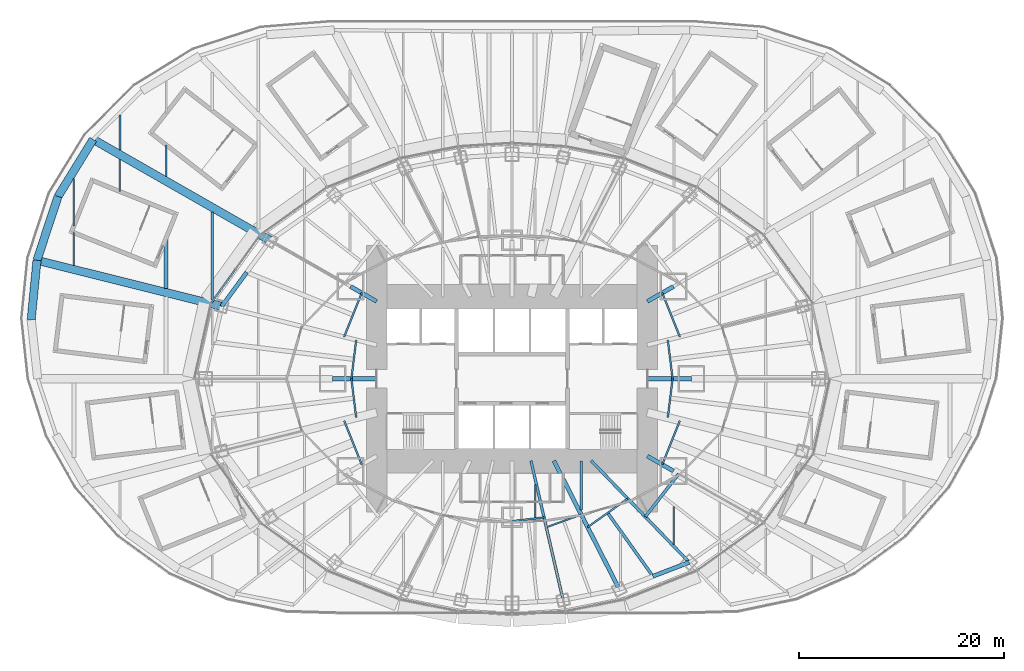
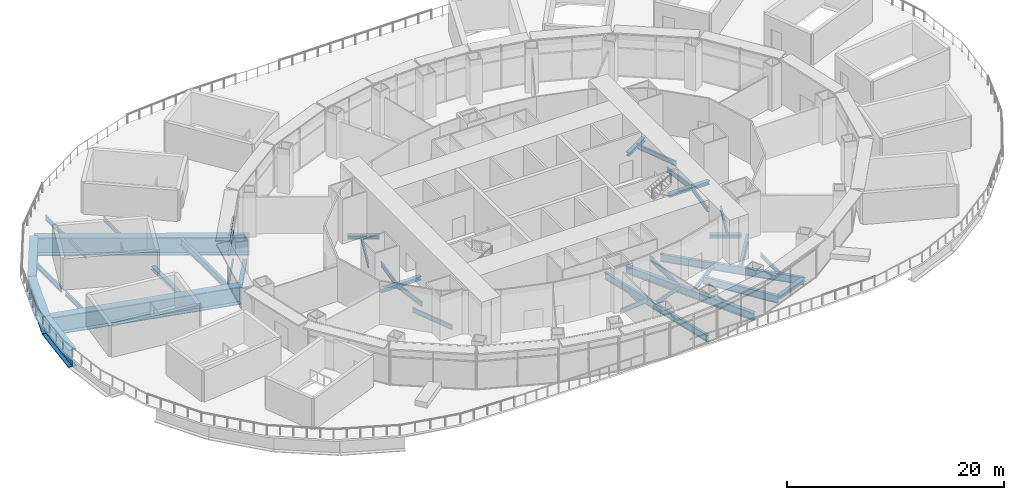
# One storey, part 5 of 25: 38 beams, 3 members, 1 element without a shape of its own.
"""IFC4 building model written with IfcOpenShell, lengths in metres."""

from ifc_helpers import new_model, si_unit, direction, frame, origin, origin_2d, place, context, subcontext, project, spatial, rectangle, i_section, extrude, material, material_profile, profile_set, type_object, element, aggregate, save


model = new_model("IFC4")

# Units and contexts
model_context = context("Model", 3, precision=1e-05, world=origin(), true_north=direction((0.0, 1.0)))
body_context = subcontext(model_context, "Body", "Model", "MODEL_VIEW")
ifc_project = project(units=[si_unit("LENGTHUNIT", "METRE"), si_unit("AREAUNIT", "SQUARE_METRE"), si_unit("VOLUMEUNIT", "CUBIC_METRE"), si_unit("PLANEANGLEUNIT", "RADIAN"), si_unit("MASSUNIT", "GRAM", prefix="KILO")], contexts=[model_context])

# Site, building, storey
site_placement = place(None, origin())
site = spatial("IfcSite", under=ifc_project, at=site_placement, CompositionType="ELEMENT")
building_placement = place(site_placement, origin())
building = spatial("IfcBuilding", under=site, at=building_placement, Name="Lantaw Convention Tower", CompositionType="ELEMENT")
storey_placement = place(building_placement, frame((0.0, 0.0, 32.0)))
storey = spatial("IfcBuildingStorey", under=building, at=storey_placement, Name="L05", CompositionType="ELEMENT", Elevation=32.0)

# Beams
ifc_material_1 = material(Name="Steel ASTM A572 Grade 50", Category="steel")
ifc_material_profile_1 = material_profile(ifc_material_1, i_section(OverallWidth=0.800048828125, OverallDepth=2.0, WebThickness=0.030029296875, FlangeThickness=0.080078125, at=origin_2d()), Name="PG2000X800X30X80")
ifc_profile_set_1 = profile_set([ifc_material_profile_1], Name="Steel ASTM A572 Grade 50")
beam_type_1 = type_object("IfcBeamType", Name="Beam E PG2000X800X30X80", PredefinedType="SPANDREL", material=ifc_profile_set_1)
beam_1_placement = place(storey_placement, frame((-40.864013671875, 23.350830078125, -1.199951171875), z_axis=(-0.524178644867, -0.851608330317, 0.0), x_axis=(0.851608330317, -0.524178644867, 0.0)))
element("IfcBeam", 1, at=beam_1_placement, inside=storey, type_object=beam_type_1, Name="Podium edge beam R10", PredefinedType="SPANDREL", context=body_context, shape_type="SweptSolid", body=[
    extrude(i_section(OverallWidth=0.800048828125, OverallDepth=2.0, WebThickness=0.030029296875, FlangeThickness=0.080078125, at=origin_2d()), origin(), (0.0, 0.0, 1.0), 6.54052734375),
])
beam_2_placement = place(storey_placement, frame((-44.29248046875, 17.78076171875, -1.199951171875), z_axis=(-0.312739573604, -0.949838912186, 0.0), x_axis=(0.949838912186, -0.312739573604, 0.0)))
element("IfcBeam", 2, at=beam_2_placement, inside=storey, type_object=beam_type_1, Name="Podium edge beam B10", PredefinedType="SPANDREL", context=body_context, shape_type="SweptSolid", body=[
    extrude(i_section(OverallWidth=0.800048828125, OverallDepth=2.0, WebThickness=0.030029296875, FlangeThickness=0.080078125, at=origin_2d()), origin(), (0.0, 0.0, 1.0), 6.55517578125),
])
beam_3_placement = place(storey_placement, frame((-46.342529296875, 11.554443359375, -1.199951171875), z_axis=(-0.097112121047, -0.995273447825, 0.0), x_axis=(0.995273447825, -0.097112121047, 0.0)))
element("IfcBeam", 3, at=beam_3_placement, inside=storey, type_object=beam_type_1, Name="Podium edge beam R11", PredefinedType="SPANDREL", context=body_context, shape_type="SweptSolid", body=[
    extrude(i_section(OverallWidth=0.800048828125, OverallDepth=2.0, WebThickness=0.030029296875, FlangeThickness=0.080078125, at=origin_2d()), origin(), (0.0, 0.0, 1.0), 5.822509765625),
])
ifc_material_2 = material(Name="Steel ASTM A992", Category="steel")
ifc_material_profile_2 = material_profile(ifc_material_2, i_section(OverallWidth=0.40380859375, OverallDepth=0.406494140625, WebThickness=0.027099609375, FlangeThickness=0.043701171875, FilletRadius=0.01513671875, at=origin_2d()), Name="W14X233")
ifc_profile_set_2 = profile_set([ifc_material_profile_2], Name="Steel ASTM A992")
beam_type_2 = type_object("IfcBeamType", Name="Beam E W14X233", PredefinedType="SPANDREL", material=ifc_profile_set_2)
beam_4_placement = place(storey_placement, frame((-25.8779296875, 10.388427734375, -0.4033203125), z_axis=(-0.591255937291, -0.806483984105, 0.0), x_axis=(0.806483984105, -0.591255937291, 0.0)))
element("IfcBeam", 4, at=beam_4_placement, inside=storey, type_object=beam_type_2, Name="Edge beam 11", PredefinedType="SPANDREL", context=body_context, shape_type="SweptSolid", body=[
    extrude(i_section(OverallWidth=0.40380859375, OverallDepth=0.406494140625, WebThickness=0.027099609375, FlangeThickness=0.043701171875, FilletRadius=0.01513671875, at=origin_2d()), origin(), (0.0, 0.0, 1.0), 4.126708984375),
])
beam_5_placement = place(storey_placement, frame((13.745361328125, -19.270263671875, -0.4033203125), z_axis=(0.933224646415, 0.359293416754, 0.0), x_axis=(-0.359293416754, 0.933224646415, 0.0)))
element("IfcBeam", 5, at=beam_5_placement, inside=storey, type_object=beam_type_2, Name="Edge beam 21", PredefinedType="SPANDREL", context=body_context, shape_type="SweptSolid", body=[
    extrude(i_section(OverallWidth=0.40380859375, OverallDepth=0.406494140625, WebThickness=0.027099609375, FlangeThickness=0.043701171875, FilletRadius=0.01513671875, at=origin_2d()), origin(), (0.0, 0.0, 1.0), 3.799072265625),
])
ifc_material_profile_3 = material_profile(ifc_material_2, i_section(OverallWidth=0.2666015625, OverallDepth=0.76953125, WebThickness=0.015625, FlangeThickness=0.025390625, FilletRadius=0.0126953125, at=origin_2d()), Name="W30X132")
ifc_profile_set_3 = profile_set([ifc_material_profile_3], Name="Steel ASTM A992")
beam_type_3 = type_object("IfcBeamType", Name="Beam G W30X132", PredefinedType="BEAM", material=ifc_profile_set_3)
beam_6_placement = place(storey_placement, frame((1.846923828125, -8.0, -0.584716796875), z_axis=(0.224952773175, -0.97436966796, 0.0), x_axis=(0.97436966796, 0.224952773175, 0.0)))
element("IfcBeam", 6, at=beam_6_placement, inside=storey, type_object=beam_type_3, Name="Floor girder on ray 20", PredefinedType="BEAM", context=body_context, shape_type="SweptSolid", body=[
    extrude(i_section(OverallWidth=0.2666015625, OverallDepth=0.76953125, WebThickness=0.015625, FlangeThickness=0.025390625, FilletRadius=0.0126953125, at=origin_2d()), origin(), (0.0, 0.0, 1.0), 13.955810546875),
])
ifc_material_profile_4 = material_profile(ifc_material_2, i_section(OverallWidth=0.2919921875, OverallDepth=0.845703125, WebThickness=0.015380859375, FlangeThickness=0.0244140625, FilletRadius=0.01513671875, at=origin_2d()), Name="W33X141")
ifc_profile_set_4 = profile_set([ifc_material_profile_4], Name="Steel ASTM A992")
beam_type_4 = type_object("IfcBeamType", Name="Beam G W33X141", PredefinedType="BEAM", material=ifc_profile_set_4)
beam_7_placement = place(storey_placement, frame((9.335693359375, -13.088134765625, -0.622802734375), z_axis=(0.580702805158, -0.814115625745, 0.0), x_axis=(0.814115625745, 0.580702805158, 0.0)))
element("IfcBeam", 7, at=beam_7_placement, inside=storey, type_object=beam_type_4, Name="Floor girder on bisector 21", PredefinedType="BEAM", context=body_context, shape_type="SweptSolid", body=[
    extrude(i_section(OverallWidth=0.2919921875, OverallDepth=0.845703125, WebThickness=0.015380859375, FlangeThickness=0.0244140625, FilletRadius=0.01513671875, at=origin_2d()), origin(), (0.0, 0.0, 1.0), 7.59375),
])
beam_8_placement = place(storey_placement, frame((7.7255859375, -8.0, -0.622802734375), z_axis=(0.694649884291, -0.719347995239, 0.0), x_axis=(0.719347995239, 0.694649884291, 0.0)))
element("IfcBeam", 8, at=beam_8_placement, inside=storey, type_object=beam_type_4, Name="Floor girder on ray 22", PredefinedType="BEAM", context=body_context, shape_type="SweptSolid", body=[
    extrude(i_section(OverallWidth=0.2919921875, OverallDepth=0.845703125, WebThickness=0.015380859375, FlangeThickness=0.0244140625, FilletRadius=0.01513671875, at=origin_2d()), origin(), (0.0, 0.0, 1.0), 13.769775390625),
])
ifc_material_profile_5 = material_profile(ifc_material_2, i_section(OverallWidth=0.398681640625, OverallDepth=0.85595703125, WebThickness=0.01806640625, FlangeThickness=0.029296875, FilletRadius=0.016357421875, at=origin_2d()), Name="W33X201")
ifc_profile_set_5 = profile_set([ifc_material_profile_5], Name="Steel ASTM A992")
beam_type_5 = type_object("IfcBeamType", Name="Beam G W33X201", PredefinedType="BEAM", material=ifc_profile_set_5)
beam_9_placement = place(storey_placement, frame((4.076171875, -8.0, -0.6279296875), z_axis=(0.453997016122, -0.891003203896, 0.0), x_axis=(0.891003203896, 0.453997016122, 0.0)))
element("IfcBeam", 9, at=beam_9_placement, inside=storey, type_object=beam_type_5, Name="Floor girder on ray 21", PredefinedType="BEAM", context=body_context, shape_type="SweptSolid", body=[
    extrude(i_section(OverallWidth=0.398681640625, OverallDepth=0.85595703125, WebThickness=0.01806640625, FlangeThickness=0.029296875, FilletRadius=0.016357421875, at=origin_2d()), origin(), (0.0, 0.0, 1.0), 14.067138671875),
])
ifc_material_profile_6 = material_profile(ifc_material_2, i_section(OverallWidth=0.40380859375, OverallDepth=0.406494140625, WebThickness=0.027099609375, FlangeThickness=0.043701171875, FilletRadius=0.01513671875, at=origin_2d()), Name="W14X233")
ifc_profile_set_6 = profile_set([ifc_material_profile_6], Name="Steel ASTM A992")
beam_type_6 = type_object("IfcBeamType", Name="Beam GM W14X233", PredefinedType="BEAM", material=ifc_profile_set_6)
beam_10_placement = place(storey_placement, frame((13.199951171875, 0.0, -0.4033203125), z_axis=(1.0, 0.0, 0.0), x_axis=(0.0, 1.0, 0.0)))
element("IfcBeam", 10, at=beam_10_placement, inside=storey, type_object=beam_type_6, Name="Core link beam on ray 1", PredefinedType="BEAM", context=body_context, shape_type="SweptSolid", body=[
    extrude(i_section(OverallWidth=0.40380859375, OverallDepth=0.406494140625, WebThickness=0.027099609375, FlangeThickness=0.043701171875, FilletRadius=0.01513671875, at=origin_2d()), origin(), (0.0, 0.0, 1.0), 4.300048828125),
])
for number, where, z_axis, x_axis, name in (
    (11, (13.199951171875, 7.54296875, -0.4033203125), (0.868263603466, 0.496103129295, 0.0), (-0.496103129295, 0.868263603466, 0.0), "Core link beam on ray 3"),
    (12, (-13.199951171875, 7.54296875, -0.4033203125), (-0.868263603466, 0.496103129295, 0.0), (-0.496103129295, -0.868263603466, 0.0), "Core link beam on ray 11"),
):
    element("IfcBeam", number, at=place(storey_placement, frame(where, z_axis=z_axis, x_axis=x_axis)), inside=storey, type_object=beam_type_6, Name=name, PredefinedType="BEAM", context=body_context, shape_type="SweptSolid", body=[
        extrude(i_section(OverallWidth=0.40380859375, OverallDepth=0.406494140625, WebThickness=0.027099609375, FlangeThickness=0.043701171875, FilletRadius=0.01513671875, at=origin_2d()), origin(), (0.0, 0.0, 1.0), 2.93701171875),
    ])
beam_11_placement = place(storey_placement, frame((-13.199951171875, 0.0, -0.4033203125), z_axis=(-1.0, 0.0, 0.0), x_axis=(0.0, -1.0, 0.0)))
element("IfcBeam", 13, at=beam_11_placement, inside=storey, type_object=beam_type_6, Name="Core link beam on ray 13", PredefinedType="BEAM", context=body_context, shape_type="SweptSolid", body=[
    extrude(i_section(OverallWidth=0.40380859375, OverallDepth=0.406494140625, WebThickness=0.027099609375, FlangeThickness=0.043701171875, FilletRadius=0.01513671875, at=origin_2d()), origin(), (0.0, 0.0, 1.0), 4.300048828125),
])
beam_12_placement = place(storey_placement, frame((13.199951171875, -7.54296875, -0.4033203125), z_axis=(0.868263603466, -0.496103129295, 0.0), x_axis=(0.496103129295, 0.868263603466, 0.0)))
element("IfcBeam", 14, at=beam_12_placement, inside=storey, type_object=beam_type_6, Name="Core link beam on ray 23", PredefinedType="BEAM", context=body_context, shape_type="SweptSolid", body=[
    extrude(i_section(OverallWidth=0.40380859375, OverallDepth=0.406494140625, WebThickness=0.027099609375, FlangeThickness=0.043701171875, FilletRadius=0.01513671875, at=origin_2d()), origin(), (0.0, 0.0, 1.0), 2.93701171875),
])
ifc_material_profile_7 = material_profile(ifc_material_2, i_section(OverallWidth=0.15234375, OverallDepth=0.449462890625, WebThickness=0.007568359375, FlangeThickness=0.0107421875, FilletRadius=0.01025390625, at=origin_2d()), Name="W18X35")
ifc_profile_set_7 = profile_set([ifc_material_profile_7], Name="Steel ASTM A992")
beam_type_7 = type_object("IfcBeamType", Name="Beam HC W18X35", PredefinedType="BEAM", material=ifc_profile_set_7)
beam_13_placement = place(storey_placement, frame((3.345947265625, -14.4931640625, -0.4248046875), z_axis=(0.939689171859, 0.342029619025, 0.0), x_axis=(-0.342029619025, 0.939689171859, 0.0)))
element("IfcBeam", 15, at=beam_13_placement, inside=storey, type_object=beam_type_7, Name="Collar beam on bisector 20", PredefinedType="BEAM", context=body_context, shape_type="SweptSolid", body=[
    extrude(i_section(OverallWidth=0.15234375, OverallDepth=0.449462890625, WebThickness=0.007568359375, FlangeThickness=0.0107421875, FilletRadius=0.01025390625, at=origin_2d()), origin(), (0.0, 0.0, 1.0), 3.62548828125),
])
ifc_material_profile_8 = material_profile(ifc_material_2, i_section(OverallWidth=0.1650390625, OverallDepth=0.52587890625, WebThickness=0.0087890625, FlangeThickness=0.011474609375, FilletRadius=0.0126953125, at=origin_2d()), Name="W21X44")
ifc_profile_set_8 = profile_set([ifc_material_profile_8], Name="Steel ASTM A992")
beam_type_8 = type_object("IfcBeamType", Name="Beam HC W21X44", PredefinedType="BEAM", material=ifc_profile_set_8)
beam_14_placement = place(storey_placement, frame((15.666015625, 0.0, -0.462890625), z_axis=(-0.121925556924, 0.992539247873, 0.0), x_axis=(-0.992539247873, -0.121925556924, 0.0)))
element("IfcBeam", 16, at=beam_14_placement, inside=storey, type_object=beam_type_8, Name="Collar beam on bisector 1", PredefinedType="BEAM", context=body_context, shape_type="SweptSolid", body=[
    extrude(i_section(OverallWidth=0.1650390625, OverallDepth=0.52587890625, WebThickness=0.0087890625, FlangeThickness=0.011474609375, FilletRadius=0.0126953125, at=origin_2d()), origin(), (0.0, 0.0, 1.0), 3.818603515625),
])
for number, where, z_axis, x_axis, name in (
    (17, (16.381591796875, 4.08447265625, -0.462890625), (-0.372591792929, 0.927995342576, 0.0), (-0.927995342576, -0.372591792929, 0.0), "Collar beam on bisector 2"),
    (18, (-14.658447265625, 8.376220703125, -0.462890625), (-0.372591792929, -0.927995342576, 0.0), (0.927995342576, -0.372591792929, 0.0), "Collar beam on bisector 11"),
):
    element("IfcBeam", number, at=place(storey_placement, frame(where, z_axis=z_axis, x_axis=x_axis)), inside=storey, type_object=beam_type_8, Name=name, PredefinedType="BEAM", context=body_context, shape_type="SweptSolid", body=[
        extrude(i_section(OverallWidth=0.1650390625, OverallDepth=0.52587890625, WebThickness=0.0087890625, FlangeThickness=0.011474609375, FilletRadius=0.0126953125, at=origin_2d()), origin(), (0.0, 0.0, 1.0), 4.624755859375),
    ])
for number, where, z_axis, x_axis, name in (
    (19, (-15.200439453125, 3.7900390625, -0.462890625), (-0.121925556924, -0.992539247873, 0.0), (0.992539247873, -0.121925556924, 0.0), "Collar beam on bisector 12"),
    (20, (-15.666015625, 0.0, -0.462890625), (0.121925556924, -0.992539247873, 0.0), (0.992539247873, 0.121925556924, 0.0), "Collar beam on bisector 13"),
):
    element("IfcBeam", number, at=place(storey_placement, frame(where, z_axis=z_axis, x_axis=x_axis)), inside=storey, type_object=beam_type_8, Name=name, PredefinedType="BEAM", context=body_context, shape_type="SweptSolid", body=[
        extrude(i_section(OverallWidth=0.1650390625, OverallDepth=0.52587890625, WebThickness=0.0087890625, FlangeThickness=0.011474609375, FilletRadius=0.0126953125, at=origin_2d()), origin(), (0.0, 0.0, 1.0), 3.818603515625),
    ])
beam_15_placement = place(storey_placement, frame((-16.381591796875, -4.08447265625, -0.462890625), z_axis=(0.372591792929, -0.927995342576, 0.0), x_axis=(0.927995342576, 0.372591792929, 0.0)))
element("IfcBeam", 21, at=beam_15_placement, inside=storey, type_object=beam_type_8, Name="Collar beam on bisector 14", PredefinedType="BEAM", context=body_context, shape_type="SweptSolid", body=[
    extrude(i_section(OverallWidth=0.1650390625, OverallDepth=0.52587890625, WebThickness=0.0087890625, FlangeThickness=0.011474609375, FilletRadius=0.0126953125, at=origin_2d()), origin(), (0.0, 0.0, 1.0), 4.624755859375),
])
beam_16_placement = place(storey_placement, frame((7.379638671875, -14.4833984375, -0.462890625), z_axis=(0.814110909588, 0.580709416912, 0.0), x_axis=(-0.580709416912, 0.814110909588, 0.0)))
element("IfcBeam", 22, at=beam_16_placement, inside=storey, type_object=beam_type_8, Name="Collar beam on bisector 21", PredefinedType="BEAM", context=body_context, shape_type="SweptSolid", body=[
    extrude(i_section(OverallWidth=0.1650390625, OverallDepth=0.52587890625, WebThickness=0.0087890625, FlangeThickness=0.011474609375, FilletRadius=0.0126953125, at=origin_2d()), origin(), (0.0, 0.0, 1.0), 4.805419921875),
])
beam_17_placement = place(storey_placement, frame((14.658447265625, -8.376220703125, -0.462890625), z_axis=(0.372591792929, 0.927995342576, 0.0), x_axis=(-0.927995342576, 0.372591792929, 0.0)))
element("IfcBeam", 23, at=beam_17_placement, inside=storey, type_object=beam_type_8, Name="Collar beam on bisector 23", PredefinedType="BEAM", context=body_context, shape_type="SweptSolid", body=[
    extrude(i_section(OverallWidth=0.1650390625, OverallDepth=0.52587890625, WebThickness=0.0087890625, FlangeThickness=0.011474609375, FilletRadius=0.0126953125, at=origin_2d()), origin(), (0.0, 0.0, 1.0), 4.624755859375),
])
beam_18_placement = place(storey_placement, frame((15.200439453125, -3.7900390625, -0.462890625), z_axis=(0.121925556924, 0.992539247873, 0.0), x_axis=(-0.992539247873, 0.121925556924, 0.0)))
element("IfcBeam", 24, at=beam_18_placement, inside=storey, type_object=beam_type_8, Name="Collar beam on bisector 24", PredefinedType="BEAM", context=body_context, shape_type="SweptSolid", body=[
    extrude(i_section(OverallWidth=0.1650390625, OverallDepth=0.52587890625, WebThickness=0.0087890625, FlangeThickness=0.011474609375, FilletRadius=0.0126953125, at=origin_2d()), origin(), (0.0, 0.0, 1.0), 3.818603515625),
])
ifc_material_profile_9 = material_profile(ifc_material_2, i_section(OverallWidth=0.165771484375, OverallDepth=0.5283203125, WebThickness=0.009765625, FlangeThickness=0.013671875, FilletRadius=0.012939453125, at=origin_2d()), Name="W21X50")
ifc_profile_set_9 = profile_set([ifc_material_profile_9], Name="Steel ASTM A992")
beam_type_9 = type_object("IfcBeamType", Name="Beam HC W21X50", PredefinedType="BEAM", material=ifc_profile_set_9)
beam_19_placement = place(storey_placement, frame((0.0, -13.89111328125, -0.464111328125), z_axis=(0.99356540907, 0.113259780595, 0.0), x_axis=(-0.113259780595, 0.99356540907, 0.0)))
element("IfcBeam", 25, at=beam_19_placement, inside=storey, type_object=beam_type_9, Name="Collar beam on bisector 19", PredefinedType="BEAM", context=body_context, shape_type="SweptSolid", body=[
    extrude(i_section(OverallWidth=0.165771484375, OverallDepth=0.5283203125, WebThickness=0.009765625, FlangeThickness=0.013671875, FilletRadius=0.012939453125, at=origin_2d()), origin(), (0.0, 0.0, 1.0), 3.14501953125),
])
ifc_material_profile_10 = material_profile(ifc_material_2, i_section(OverallWidth=0.2919921875, OverallDepth=0.845703125, WebThickness=0.015380859375, FlangeThickness=0.0244140625, FilletRadius=0.01513671875, at=origin_2d()), Name="W33X141")
ifc_profile_set_10 = profile_set([ifc_material_profile_10], Name="Steel ASTM A992")
beam_type_10 = type_object("IfcBeamType", Name="Beam HC W33X141", PredefinedType="BEAM", material=ifc_profile_set_10)
beam_20_placement = place(storey_placement, frame((13.003662109375, -13.465576171875, -0.622802734375), z_axis=(0.613886325717, 0.789394438223, 0.0), x_axis=(-0.789394438223, 0.613886325717, 0.0)))
element("IfcBeam", 26, at=beam_20_placement, inside=storey, type_object=beam_type_10, Name="Collar beam on bisector 22", PredefinedType="BEAM", context=body_context, shape_type="SweptSolid", body=[
    extrude(i_section(OverallWidth=0.2919921875, OverallDepth=0.845703125, WebThickness=0.015380859375, FlangeThickness=0.0244140625, FilletRadius=0.01513671875, at=origin_2d()), origin(), (0.0, 0.0, 1.0), 5.29296875),
])
ifc_material_profile_11 = material_profile(ifc_material_2, i_section(OverallWidth=0.40380859375, OverallDepth=0.406494140625, WebThickness=0.027099609375, FlangeThickness=0.043701171875, FilletRadius=0.01513671875, at=origin_2d()), Name="W14X233")
ifc_profile_set_11 = profile_set([ifc_material_profile_11], Name="Steel ASTM A992")
beam_type_11 = type_object("IfcBeamType", Name="Beam J W14X233", PredefinedType="JOIST", material=ifc_profile_set_11)
beam_21_placement = place(storey_placement, frame((-33.75, 8.8271484375, -0.4033203125), z_axis=(0.0, 1.0, 0.0), x_axis=(-1.0, 0.0, 0.0)))
element("IfcBeam", 27, at=beam_21_placement, inside=storey, type_object=beam_type_11, Name="Floor joist", PredefinedType="JOIST", context=body_context, shape_type="SweptSolid", body=[
    extrude(i_section(OverallWidth=0.40380859375, OverallDepth=0.406494140625, WebThickness=0.027099609375, FlangeThickness=0.043701171875, FilletRadius=0.01513671875, at=origin_2d()), origin(), (0.0, 0.0, 1.0), 4.88330078125),
])
ifc_material_profile_12 = material_profile(ifc_material_2, i_section(OverallWidth=0.140380859375, OverallDepth=0.40380859375, WebThickness=0.007080078125, FlangeThickness=0.01123046875, FilletRadius=0.01025390625, at=origin_2d()), Name="W16X31")
ifc_profile_set_12 = profile_set([ifc_material_profile_12], Name="Steel ASTM A992")
beam_type_12 = type_object("IfcBeamType", Name="Beam J W16X31", PredefinedType="JOIST", material=ifc_profile_set_12)
beam_22_placement = place(storey_placement, frame((-38.25, 18.264404296875, -0.40185546875), z_axis=(0.0, 1.0, 0.0), x_axis=(-1.0, 0.0, 0.0)))
element("IfcBeam", 28, at=beam_22_placement, inside=storey, type_object=beam_type_12, Name="Floor joist", PredefinedType="JOIST", context=body_context, shape_type="SweptSolid", body=[
    extrude(i_section(OverallWidth=0.140380859375, OverallDepth=0.40380859375, WebThickness=0.007080078125, FlangeThickness=0.01123046875, FilletRadius=0.01025390625, at=origin_2d()), origin(), (0.0, 0.0, 1.0), 3.132080078125),
])
beam_23_placement = place(storey_placement, frame((2.25, -13.55126953125, -0.40185546875), z_axis=(0.0, 1.0, 0.0), x_axis=(-1.0, 0.0, 0.0)))
element("IfcBeam", 29, at=beam_23_placement, inside=storey, type_object=beam_type_12, Name="Floor joist", PredefinedType="JOIST", context=body_context, shape_type="SweptSolid", body=[
    extrude(i_section(OverallWidth=0.140380859375, OverallDepth=0.40380859375, WebThickness=0.007080078125, FlangeThickness=0.01123046875, FilletRadius=0.01025390625, at=origin_2d()), origin(), (0.0, 0.0, 1.0), 3.212646484375),
])
ifc_material_profile_13 = material_profile(ifc_material_2, i_section(OverallWidth=0.15234375, OverallDepth=0.449462890625, WebThickness=0.007568359375, FlangeThickness=0.0107421875, FilletRadius=0.01025390625, at=origin_2d()), Name="W18X35")
ifc_profile_set_13 = profile_set([ifc_material_profile_13], Name="Steel ASTM A992")
beam_type_13 = type_object("IfcBeamType", Name="Beam J W18X35", PredefinedType="JOIST", material=ifc_profile_set_13)
beam_24_placement = place(storey_placement, frame((-33.75, 19.746337890625, -0.4248046875), z_axis=(0.0, 1.0, 0.0), x_axis=(-1.0, 0.0, 0.0)))
element("IfcBeam", 30, at=beam_24_placement, inside=storey, type_object=beam_type_13, Name="Floor joist", PredefinedType="JOIST", context=body_context, shape_type="SweptSolid", body=[
    extrude(i_section(OverallWidth=0.15234375, OverallDepth=0.449462890625, WebThickness=0.007568359375, FlangeThickness=0.0107421875, FilletRadius=0.01025390625, at=origin_2d()), origin(), (0.0, 0.0, 1.0), 3.080810546875),
])
beam_25_placement = place(storey_placement, frame((15.800048828125, -16.151123046875, -0.4248046875), z_axis=(0.0, 1.0, 0.0), x_axis=(-1.0, 0.0, 0.0)))
element("IfcBeam", 31, at=beam_25_placement, inside=storey, type_object=beam_type_13, Name="Floor joist", PredefinedType="JOIST", context=body_context, shape_type="SweptSolid", body=[
    extrude(i_section(OverallWidth=0.15234375, OverallDepth=0.449462890625, WebThickness=0.007568359375, FlangeThickness=0.0107421875, FilletRadius=0.01025390625, at=origin_2d()), origin(), (0.0, 0.0, 1.0), 3.6943359375),
])
ifc_material_profile_14 = material_profile(ifc_material_2, i_section(OverallWidth=0.1650390625, OverallDepth=0.52587890625, WebThickness=0.0087890625, FlangeThickness=0.011474609375, FilletRadius=0.0126953125, at=origin_2d()), Name="W21X44")
ifc_profile_set_14 = profile_set([ifc_material_profile_14], Name="Steel ASTM A992")
beam_type_14 = type_object("IfcBeamType", Name="Beam J W21X44", PredefinedType="JOIST", material=ifc_profile_set_14)
beam_26_placement = place(storey_placement, frame((-42.75, 11.071044921875, -0.462890625), z_axis=(0.0, 1.0, 0.0), x_axis=(-1.0, 0.0, 0.0)))
element("IfcBeam", 32, at=beam_26_placement, inside=storey, type_object=beam_type_14, Name="Floor joist", PredefinedType="JOIST", context=body_context, shape_type="SweptSolid", body=[
    extrude(i_section(OverallWidth=0.1650390625, OverallDepth=0.52587890625, WebThickness=0.0087890625, FlangeThickness=0.011474609375, FilletRadius=0.0126953125, at=origin_2d()), origin(), (0.0, 0.0, 1.0), 3.18115234375),
])
beam_27_placement = place(storey_placement, frame((-38.25, 22.31787109375, -0.462890625), z_axis=(0.0, 1.0, 0.0), x_axis=(-1.0, 0.0, 0.0)))
element("IfcBeam", 33, at=beam_27_placement, inside=storey, type_object=beam_type_14, Name="Floor joist", PredefinedType="JOIST", context=body_context, shape_type="SweptSolid", body=[
    extrude(i_section(OverallWidth=0.1650390625, OverallDepth=0.52587890625, WebThickness=0.0087890625, FlangeThickness=0.011474609375, FilletRadius=0.0126953125, at=origin_2d()), origin(), (0.0, 0.0, 1.0), 3.403564453125),
])
ifc_material_profile_15 = material_profile(ifc_material_2, i_section(OverallWidth=0.209228515625, OverallDepth=0.533447265625, WebThickness=0.01025390625, FlangeThickness=0.015625, FilletRadius=0.012939453125, at=origin_2d()), Name="W21X62")
ifc_profile_set_15 = profile_set([ifc_material_profile_15], Name="Steel ASTM A992")
beam_type_15 = type_object("IfcBeamType", Name="Beam J W21X62", PredefinedType="JOIST", material=ifc_profile_set_15)
beam_28_placement = place(storey_placement, frame((6.75, -12.808349609375, -0.466796875), z_axis=(0.0, 1.0, 0.0), x_axis=(-1.0, 0.0, 0.0)))
element("IfcBeam", 34, at=beam_28_placement, inside=storey, type_object=beam_type_15, Name="Floor joist", PredefinedType="JOIST", context=body_context, shape_type="SweptSolid", body=[
    extrude(i_section(OverallWidth=0.209228515625, OverallDepth=0.533447265625, WebThickness=0.01025390625, FlangeThickness=0.015625, FilletRadius=0.012939453125, at=origin_2d()), origin(), (0.0, 0.0, 1.0), 4.808349609375),
])
ifc_material_profile_16 = material_profile(ifc_material_2, i_section(OverallWidth=0.177978515625, OverallDepth=0.599365234375, WebThickness=0.010009765625, FlangeThickness=0.012939453125, FilletRadius=0.012939453125, at=origin_2d()), Name="W24X55")
ifc_profile_set_16 = profile_set([ifc_material_profile_16], Name="Steel ASTM A992")
beam_type_16 = type_object("IfcBeamType", Name="Beam J W24X55", PredefinedType="JOIST", material=ifc_profile_set_16)
beam_29_placement = place(storey_placement, frame((-42.75, 14.91259765625, -0.499755859375), z_axis=(0.0, 1.0, 0.0), x_axis=(-1.0, 0.0, 0.0)))
element("IfcBeam", 35, at=beam_29_placement, inside=storey, type_object=beam_type_16, Name="Floor joist", PredefinedType="JOIST", context=body_context, shape_type="SweptSolid", body=[
    extrude(i_section(OverallWidth=0.177978515625, OverallDepth=0.599365234375, WebThickness=0.010009765625, FlangeThickness=0.012939453125, FilletRadius=0.012939453125, at=origin_2d()), origin(), (0.0, 0.0, 1.0), 4.611083984375),
])
ifc_material_profile_17 = material_profile(ifc_material_2, i_section(OverallWidth=0.2666015625, OverallDepth=0.7568359375, WebThickness=0.013916015625, FlangeThickness=0.019287109375, FilletRadius=0.0126953125, at=origin_2d()), Name="W30X108")
ifc_profile_set_17 = profile_set([ifc_material_profile_17], Name="Steel ASTM A992")
beam_type_17 = type_object("IfcBeamType", Name="Beam J W30X108", PredefinedType="JOIST", material=ifc_profile_set_17)
beam_30_placement = place(storey_placement, frame((-29.25, 7.705078125, -0.578369140625), z_axis=(0.0, 1.0, 0.0), x_axis=(-1.0, 0.0, 0.0)))
element("IfcBeam", 36, at=beam_30_placement, inside=storey, type_object=beam_type_17, Name="Floor joist", PredefinedType="JOIST", context=body_context, shape_type="SweptSolid", body=[
    extrude(i_section(OverallWidth=0.2666015625, OverallDepth=0.7568359375, WebThickness=0.013916015625, FlangeThickness=0.019287109375, FilletRadius=0.0126953125, at=origin_2d()), origin(), (0.0, 0.0, 1.0), 8.548583984375),
])
ifc_material_profile_18 = material_profile(ifc_material_1, i_section(OverallWidth=0.800048828125, OverallDepth=2.0, WebThickness=0.030029296875, FlangeThickness=0.080078125, at=origin_2d()), Name="PG2000X800X30X80")
ifc_profile_set_18 = profile_set([ifc_material_profile_18], Name="Steel ASTM A572 Grade 50")
beam_type_18 = type_object("IfcBeamType", Name="Beam PG PG2000X800X30X80", PredefinedType="BEAM", material=ifc_profile_set_18)
beam_31_placement = place(storey_placement, frame((-23.60498046875, 13.488525390625, -1.199951171875), z_axis=(-0.868243142124, 0.496138938357, 0.0), x_axis=(-0.496138938357, -0.868243142124, 0.0)))
element("IfcBeam", 37, at=beam_31_placement, inside=storey, type_object=beam_type_18, Name="Podium girder PR11", PredefinedType="BEAM", context=body_context, shape_type="SweptSolid", body=[
    extrude(i_section(OverallWidth=0.800048828125, OverallDepth=2.0, WebThickness=0.030029296875, FlangeThickness=0.080078125, at=origin_2d()), origin(), (0.0, 0.0, 1.0), 19.878173828125),
])
beam_32_placement = place(storey_placement, frame((-28.31787109375, 7.060302734375, -1.199951171875), z_axis=(-0.970294606785, 0.24192638559, 0.0), x_axis=(-0.24192638559, -0.970294606785, 0.0)))
element("IfcBeam", 38, at=beam_32_placement, inside=storey, type_object=beam_type_18, Name="Podium girder PR12", PredefinedType="BEAM", context=body_context, shape_type="SweptSolid", body=[
    extrude(i_section(OverallWidth=0.800048828125, OverallDepth=2.0, WebThickness=0.030029296875, FlangeThickness=0.080078125, at=origin_2d()), origin(), (0.0, 0.0, 1.0), 18.576416015625),
])

# Curtain wall, members
ifc_material_3 = material(Name="Aluminium framed curtain wall", Category="aluminium")
curtain_wall_type = type_object("IfcCurtainWallType", Name="Sky lobby curtain wall L05, pale aluminium", PredefinedType="USERDEFINED", material=ifc_material_3)
curtain_wall_placement = place(storey_placement, origin())
curtain_wall = element("IfcCurtainWall", 39, at=curtain_wall_placement, inside=storey, type_object=curtain_wall_type, Name="Sky lobby curtain wall L05, pale aluminium L05", ObjectType="STICK CURTAIN WALL", PredefinedType="USERDEFINED")
ifc_material_4 = material(Name="Aluminium 6063-T6", Category="aluminium")
ifc_material_profile_19 = material_profile(ifc_material_4, rectangle(XDim=0.179931640625, YDim=0.074951171875, at=origin_2d()), Name="CW-HL transom 75x180")
ifc_profile_set_19 = profile_set([ifc_material_profile_19], Name="Aluminium 6063-T6")
member_type = type_object("IfcMemberType", Name="CW-HL transom 75x180", PredefinedType="USERDEFINED", material=ifc_profile_set_19)
member_1_placement = place(storey_placement, frame((-26.994384765625, 10.64990234375, 0.03759765625), z_axis=(-0.58397021033, -0.811775087969, 0.0), x_axis=(0.811775087969, -0.58397021033, 0.0)))
member_1 = element("IfcMember", 40, at=member_1_placement, type_object=member_type, Name="CW-HL transom 2.1", ObjectType="TRANSOM", PredefinedType="USERDEFINED", context=body_context, shape_type="SweptSolid", body=[
    extrude(rectangle(XDim=0.179931640625, YDim=0.074951171875, at=origin_2d()), origin(), (0.0, 0.0, 1.0), 4.018798828125),
])
member_2_placement = place(storey_placement, frame((-26.994384765625, 10.64990234375, 3.199951171875), z_axis=(-0.58397021033, -0.811775087969, 0.0), x_axis=(0.811775087969, -0.58397021033, 0.0)))
member_2 = element("IfcMember", 41, at=member_2_placement, type_object=member_type, Name="CW-HL transom 2.2", ObjectType="TRANSOM", PredefinedType="USERDEFINED", context=body_context, shape_type="SweptSolid", body=[
    extrude(rectangle(XDim=0.179931640625, YDim=0.074951171875, at=origin_2d()), origin(), (0.0, 0.0, 1.0), 4.018798828125),
])
member_3_placement = place(storey_placement, frame((-26.994384765625, 10.64990234375, 4.8125), z_axis=(-0.58397021033, -0.811775087969, 0.0), x_axis=(0.811775087969, -0.58397021033, 0.0)))
member_3 = element("IfcMember", 42, at=member_3_placement, type_object=member_type, Name="CW-HL transom 2.3", ObjectType="TRANSOM", PredefinedType="USERDEFINED", context=body_context, shape_type="SweptSolid", body=[
    extrude(rectangle(XDim=0.179931640625, YDim=0.074951171875, at=origin_2d()), origin(), (0.0, 0.0, 1.0), 4.018798828125),
])
aggregate(curtain_wall, [member_1, member_2, member_3])

save(model, "model.ifc")
